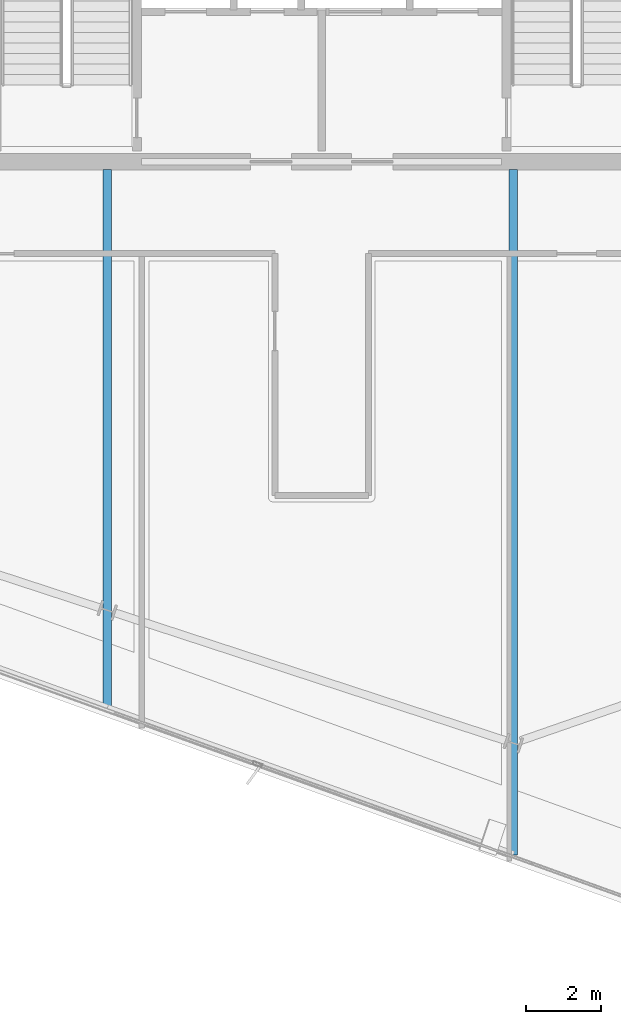
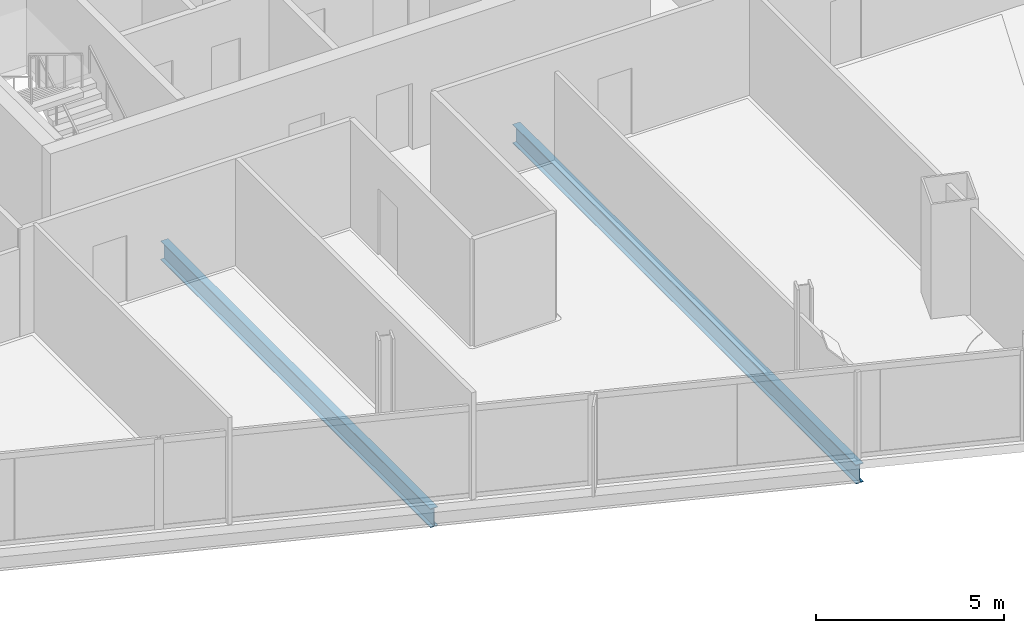
# One storey, part 4 of 27: 2 beams.
"""IFC4 building model written with IfcOpenShell, lengths in metres."""

from ifc_helpers import new_model, si_unit, direction, frame, origin, origin_2d, place, context, subcontext, project, spatial, i_section, extrude, material, material_profile, profile_set, type_object, element, save


model = new_model("IFC4")

# Units and contexts
model_context = context("Model", 3, precision=1e-05, world=origin(), true_north=direction((0.0, 1.0)))
body_context = subcontext(model_context, "Body", "Model", "MODEL_VIEW")
ifc_project = project(units=[si_unit("LENGTHUNIT", "METRE"), si_unit("AREAUNIT", "SQUARE_METRE"), si_unit("VOLUMEUNIT", "CUBIC_METRE"), si_unit("PLANEANGLEUNIT", "RADIAN"), si_unit("MASSUNIT", "GRAM", prefix="KILO")], contexts=[model_context])

# Site, building, storey
site_placement = place(None, origin())
site = spatial("IfcSite", under=ifc_project, at=site_placement, CompositionType="ELEMENT")
building_placement = place(site_placement, origin())
building = spatial("IfcBuilding", under=site, at=building_placement, Name="Haldenkirk Collegiate Tower", CompositionType="ELEMENT")
storey_placement = place(building_placement, frame((0.0, 0.0, 263.699951171875)))
storey = spatial("IfcBuildingStorey", under=building, at=storey_placement, Name="L66", CompositionType="ELEMENT", Elevation=263.699951171875)

# Beams
ifc_material = material(Name="Steel ASTM A992 Grade 50", Category="steel")
ifc_material_profile = material_profile(ifc_material, i_section(OverallWidth=0.22998046875, OverallDepth=0.616943359375, WebThickness=0.01318359375, FlangeThickness=0.022216796875, at=origin_2d()), Name="W24X94")
ifc_profile_set = profile_set([ifc_material_profile], Name="Steel ASTM A992 Grade 50")
beam_type = type_object("IfcBeamType", Name="BM-GIRDER-W24X94", PredefinedType="BEAM", material=ifc_profile_set)
beam_1_placement = place(storey_placement, frame((30.283203125, 3.419677734375, -0.578369140625), z_axis=(0.0, 1.0, 0.0), x_axis=(-1.0, 0.0, 0.0)))
element("IfcBeam", 1, at=beam_1_placement, inside=storey, type_object=beam_type, Name="L66 primary floor girder 15", PredefinedType="BEAM", context=body_context, shape_type="SweptSolid", body=[
    extrude(i_section(OverallWidth=0.22998046875, OverallDepth=0.616943359375, WebThickness=0.01318359375, FlangeThickness=0.022216796875, at=origin_2d()), origin(), (0.0, 0.0, 1.0), 14.375244140625),
])
beam_2_placement = place(storey_placement, frame((41.111083984375, -0.489501953125, -0.578369140625), z_axis=(0.0, 1.0, 0.0), x_axis=(-1.0, 0.0, 0.0)))
element("IfcBeam", 2, at=beam_2_placement, inside=storey, type_object=beam_type, Name="L66 primary floor girder 16", PredefinedType="BEAM", context=body_context, shape_type="SweptSolid", body=[
    extrude(i_section(OverallWidth=0.22998046875, OverallDepth=0.616943359375, WebThickness=0.01318359375, FlangeThickness=0.022216796875, at=origin_2d()), origin(), (0.0, 0.0, 1.0), 18.284423828125),
])

save(model, "model.ifc")
